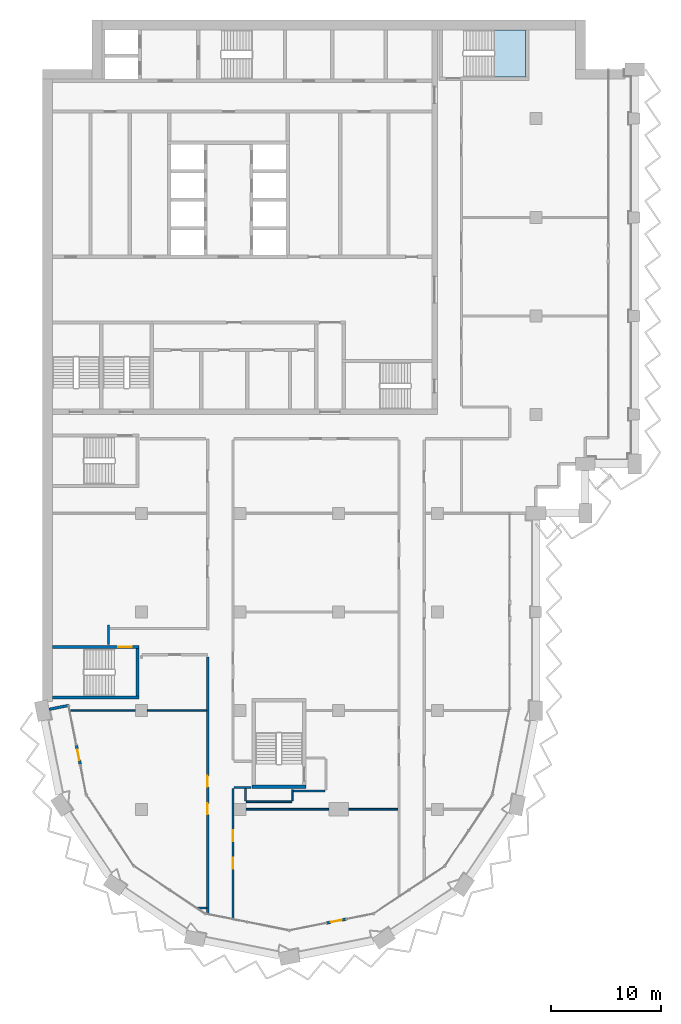
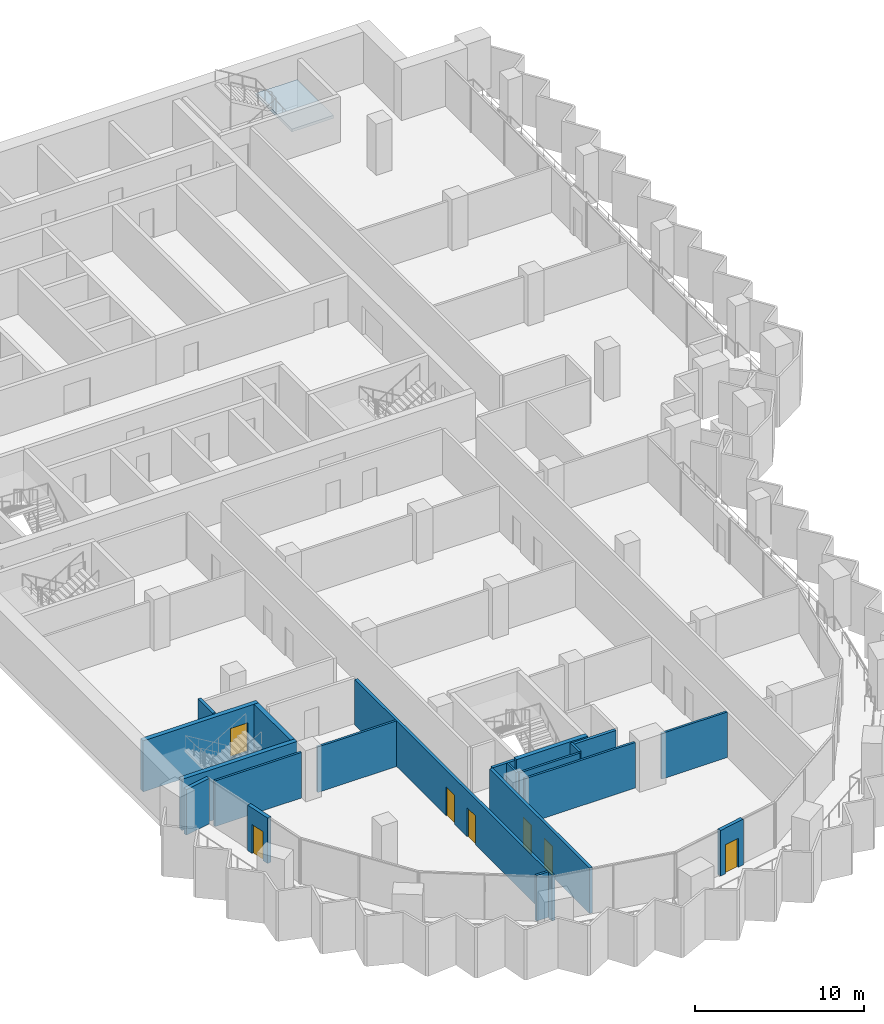
# One storey, part 7 of 17: 20 walls, 7 doors, 1 slab, 7 openings, 1 element without a shape of its own.
"""IFC4 building model written with IfcOpenShell, lengths in metres."""

import ifcopenshell
import ifcopenshell.guid

model = None  # the IFC model being written
_history = None  # IfcOwnerHistory: only IFC2X3 demands one
_inside = {}  # id of a spatial element -> (the spatial element, [elements in it])
_under = {}  # id of a project, library or spatial element -> (it, [spatial elements below it])
_declared = {}  # id of a project -> (the project, [libraries it declares])
_typed = {}  # id of a type object -> (the type object, [elements of that type])
_made_of = {}  # id of a material, layer set ... -> (it, [elements and type objects made of it])


def new_model(schema):
    """Start an empty IFC model of exactly this schema.

    Asked for "IFC4X3", IfcOpenShell would pick the latest addendum, in which some entities
    have other attributes; the version numbers below select the first issue.
    IFC2X3 requires an IfcOwnerHistory on every rooted entity: one is made here for all.
    """
    global model, _history
    if schema == "IFC4X3":
        model = ifcopenshell.file(schema_version=(4, 3, 0, 0))
    else:
        model = ifcopenshell.file(schema=schema)
    _inside.clear()
    _under.clear()
    _declared.clear()
    _typed.clear()
    _made_of.clear()
    _history = None
    if model.schema == "IFC2X3":
        org = make("IfcOrganization", Name="unknown")
        user = make(
            "IfcPersonAndOrganization",
            ThePerson=make("IfcPerson", FamilyName="unknown"),
            TheOrganization=org,
        )
        app = make(
            "IfcApplication",
            ApplicationDeveloper=org,
            Version="unknown",
            ApplicationFullName="unknown",
            ApplicationIdentifier="unknown",
        )
        _history = make(
            "IfcOwnerHistory",
            OwningUser=user,
            OwningApplication=app,
            ChangeAction="ADDED",
            CreationDate=0,
        )
    return model


def make(cls, **values):
    """One entity of the class cls with the attributes given. An attribute that is None is left unset."""
    return model.create_entity(
        cls, **{name: value for name, value in values.items() if value is not None}
    )


def rooted(cls, **values):
    """An entity with a GlobalId (a new one), such as an element, a storey or a relation."""
    return make(cls, GlobalId=ifcopenshell.guid.new(), OwnerHistory=_history, **values)


def si_unit(unit_type, name, prefix=None):
    """IfcSIUnit, for example si_unit("LENGTHUNIT", "METRE", prefix="MILLI")."""
    return make("IfcSIUnit", UnitType=unit_type, Prefix=prefix, Name=name)


def assignment(units):
    """IfcUnitAssignment: the units of a project."""
    return None if units is None else make("IfcUnitAssignment", Units=units)


def point(xyz):
    """IfcCartesianPoint."""
    return None if xyz is None else make("IfcCartesianPoint", Coordinates=xyz)


def direction(xyz):
    """IfcDirection."""
    return None if xyz is None else make("IfcDirection", DirectionRatios=xyz)


def frame(location, z_axis=None, x_axis=None):
    """IfcAxis2Placement3D, a coordinate frame: its origin and axes. An axis left out is left unset."""
    return make(
        "IfcAxis2Placement3D",
        Location=point(location),
        Axis=direction(z_axis),
        RefDirection=direction(x_axis),
    )


def frame_2d(location, x_axis=None):
    """IfcAxis2Placement2D, a coordinate frame in the plane: its origin and x axis."""
    return make(
        "IfcAxis2Placement2D", Location=point(location), RefDirection=direction(x_axis)
    )


def origin():
    """The frame at (0, 0, 0) with its axes left unset."""
    return frame((0.0, 0.0, 0.0))


def place(relative_to, where):
    """IfcLocalPlacement: puts the frame where relative to a parent placement (None: the world)."""
    return make(
        "IfcLocalPlacement", PlacementRelTo=relative_to, RelativePlacement=where
    )


def context(
    kind, dimensions, precision=None, world=None, true_north=None, identifier=None
):
    """IfcGeometricRepresentationContext, for example the 3D "Model" context."""
    return make(
        "IfcGeometricRepresentationContext",
        ContextIdentifier=identifier,
        ContextType=kind,
        CoordinateSpaceDimension=dimensions,
        Precision=precision,
        WorldCoordinateSystem=world,
        TrueNorth=true_north,
    )


def subcontext(parent, identifier, kind, view, scale=None):
    """IfcGeometricRepresentationSubContext, for example "Body" below "Model"."""
    return make(
        "IfcGeometricRepresentationSubContext",
        ContextIdentifier=identifier,
        ContextType=kind,
        ParentContext=parent,
        TargetScale=scale,
        TargetView=view,
    )


def project(units=None, contexts=None):
    """IfcProject with its units and contexts."""
    return rooted(
        "IfcProject",
        Name="project",
        RepresentationContexts=contexts,
        UnitsInContext=assignment(units),
    )


def spatial(cls, under=None, at=None, **own):
    """A site, building, storey or space (cls), placed at a placement, below another one or the project."""
    s = rooted(cls, ObjectPlacement=at, **own)
    if under is not None:
        _under.setdefault(under.id(), (under, []))[1].append(s)
    return s


def polyline(points):
    """IfcPolyline through the points."""
    return make("IfcPolyline", Points=[point(p) for p in points])


def profile(cls, at=None, kind="AREA", **sizes):
    """A parametric profile (cls). Its sizes go by their IFC names, for example OverallWidth=200.0."""
    return make(cls, ProfileType=kind, Position=at, **sizes)


def rectangle(**sizes):
    """IfcRectangleProfileDef."""
    return profile("IfcRectangleProfileDef", **sizes)


def outline(outer, holes=None, kind="AREA"):
    """IfcArbitraryClosedProfileDef: a profile drawn as a closed curve; with holes, ...WithVoids."""
    if holes is None:
        return make("IfcArbitraryClosedProfileDef", ProfileType=kind, OuterCurve=outer)
    return make(
        "IfcArbitraryProfileDefWithVoids",
        ProfileType=kind,
        OuterCurve=outer,
        InnerCurves=holes,
    )


def extrude(swept, where, along, depth):
    """IfcExtrudedAreaSolid: the profile swept, set in the frame where, extruded along a direction by depth."""
    return make(
        "IfcExtrudedAreaSolid",
        SweptArea=swept,
        Position=where,
        ExtrudedDirection=direction(along),
        Depth=depth,
    )


def shape(context_of_items, identifier, shape_type, items):
    """IfcShapeRepresentation: the items that make up one representation, for example the "Body"."""
    return make(
        "IfcShapeRepresentation",
        ContextOfItems=context_of_items,
        RepresentationIdentifier=identifier,
        RepresentationType=shape_type,
        Items=items,
    )


def material(Name=None, Category=None):
    """IfcMaterial."""
    return make("IfcMaterial", Name=Name, Category=Category)


def layer(
    of_material, thickness, ventilated=None, Name=None, Category=None, Priority=None
):
    """IfcMaterialLayer: one layer of a wall or slab, of a material (None: an air gap)."""
    return make(
        "IfcMaterialLayer",
        Material=of_material,
        LayerThickness=thickness,
        IsVentilated=ventilated,
        Name=Name,
        Category=Category,
        Priority=Priority,
    )


def layer_set(layers, Name=None):
    """IfcMaterialLayerSet."""
    return make("IfcMaterialLayerSet", MaterialLayers=layers, LayerSetName=Name)


def made_of(thing, what):
    """Note that an element or type object is made of a material, layer set ...; save() writes the relation."""
    if what is not None:
        _made_of.setdefault(what.id(), (what, []))[1].append(thing)
    return thing


def type_object(cls, material=None, **own):
    """A type object (cls), such as IfcWallType, which elements share."""
    return made_of(rooted(cls, **own), material)


def element(
    cls,
    number,
    at=None,
    inside=None,
    cuts=None,
    type_object=None,
    material=None,
    context=None,
    identifier="Body",
    shape_type=None,
    held_by="IfcProductDefinitionShape",
    body=None,
    shapes=None,
    **own,
):
    """One element of the class cls, such as IfcWall. Its Tag is "e" and its number.

    at: its placement. inside: the storey or other place that contains it. cuts: it is an
    opening in that element (IfcRelVoidsElement). A single representation is given by context,
    identifier, shape_type and body (its items); several are given by shapes. held_by: the class
    of the entity that holds the representations. save() writes the other relations.
    """
    e = rooted(cls, Tag="e%d" % number, ObjectPlacement=at, **own)
    if body is not None:
        shapes = [shape(context, identifier, shape_type, body)]
    if shapes is not None:
        e.Representation = make(held_by, Representations=shapes)
    if inside is not None:
        _inside.setdefault(inside.id(), (inside, []))[1].append(e)
    if cuts is not None:
        rooted(
            "IfcRelVoidsElement", RelatingBuildingElement=cuts, RelatedOpeningElement=e
        )
    if type_object is not None:
        _typed.setdefault(type_object.id(), (type_object, []))[1].append(e)
    return made_of(e, material)


def fill(opening, filler):
    """IfcRelFillsElement: the door or window that sits in an opening."""
    return rooted(
        "IfcRelFillsElement",
        RelatingOpeningElement=opening,
        RelatedBuildingElement=filler,
    )


def aggregate(whole, parts):
    """IfcRelAggregates: a whole, such as a stair, and the parts it consists of."""
    return rooted("IfcRelAggregates", RelatingObject=whole, RelatedObjects=parts)


def save(model, path):
    """Write the relations noted so far, then the file.

    IfcRelAggregates (storeys below a building ...), IfcRelContainedInSpatialStructure (elements
    in a storey), IfcRelDefinesByType, IfcRelAssociatesMaterial and IfcRelDeclares: one each for
    every whole, place, type object, material and project.
    """
    for whole, parts in _under.values():
        aggregate(whole, parts)
    for where, things in _inside.values():
        rooted(
            "IfcRelContainedInSpatialStructure",
            RelatedElements=things,
            RelatingStructure=where,
        )
    for kind, things in _typed.values():
        rooted("IfcRelDefinesByType", RelatedObjects=things, RelatingType=kind)
    for what, things in _made_of.values():
        rooted("IfcRelAssociatesMaterial", RelatedObjects=things, RelatingMaterial=what)
    for by, libraries in _declared.values():
        rooted("IfcRelDeclares", RelatingContext=by, RelatedDefinitions=libraries)
    model.write(path)


model = new_model("IFC4")

# Units and contexts
model_context = context("Model", 3, precision=1e-05, world=origin(), true_north=direction((0.0, 1.0)))
body_context = subcontext(model_context, "Body", "Model", "MODEL_VIEW")
ifc_project = project(units=[si_unit("LENGTHUNIT", "METRE"), si_unit("AREAUNIT", "SQUARE_METRE"), si_unit("VOLUMEUNIT", "CUBIC_METRE"), si_unit("PLANEANGLEUNIT", "RADIAN"), si_unit("MASSUNIT", "GRAM", prefix="KILO")], contexts=[model_context])

# Site, building, storey
site_placement = place(None, origin())
site = spatial("IfcSite", under=ifc_project, at=site_placement, CompositionType="ELEMENT")
building_placement = place(site_placement, origin())
building = spatial("IfcBuilding", under=site, at=building_placement, Name="Hunhe Ridgeline Campus", CompositionType="ELEMENT")
storey_placement = place(building_placement, frame((0.0, 0.0, 190.199951171875)))
storey = spatial("IfcBuildingStorey", under=building, at=storey_placement, Name="L48", CompositionType="ELEMENT", Elevation=190.199951171875)

# Stair, slab
ifc_material_1 = material(Name="Concrete C40", Category="concrete")
stair_type = type_object("IfcStairType", Name="Reinforced concrete dog-leg stair 1950 Concrete C40", PredefinedType="HALF_TURN_STAIR", material=ifc_material_1)
stair_placement = place(storey_placement, origin())
stair = element("IfcStair", 1, at=stair_placement, inside=storey, type_object=stair_type, Name="L48 E1", PredefinedType="HALF_TURN_STAIR")
ifc_layer_1 = layer(ifc_material_1, 0.199951171875)
ifc_layer_set_1 = layer_set([ifc_layer_1], Name="Reinforced concrete stair landing 200 Concrete C40")
slab_type = type_object("IfcSlabType", Name="Reinforced concrete stair landing 200 Concrete C40", PredefinedType="LANDING", material=ifc_layer_set_1)
slab_placement = place(storey_placement, frame((0.0, 0.0, 1.650146484375)))
slab = element("IfcSlab", 2, at=slab_placement, type_object=slab_type, Name="ST5 landing 1", PredefinedType="LANDING", context=body_context, shape_type="SweptSolid", body=[
    extrude(outline(polyline([(41.199951171875, 93.800048828125), (44.050048828125, 93.800048828125), (44.050048828125, 98.10009765625), (41.199951171875, 98.10009765625), (41.199951171875, 93.800048828125)])), origin(), (0.0, 0.0, 1.0), 0.199951171875),
])
aggregate(stair, [slab])

# Walls
ifc_material_2 = material(Name="Concrete C30", Category="concrete")
ifc_layer_2 = layer(ifc_material_2, 0.25)
ifc_layer_set_2 = layer_set([ifc_layer_2], Name="Corner return wall 250 Concrete C30")
wall_type_1 = type_object("IfcWallType", Name="Corner return wall 250 Concrete C30", PredefinedType="SOLIDWALL", material=ifc_layer_set_2)
wall_1_placement = place(storey_placement, frame((0.58837890625, 36.117919921875, 0.0), z_axis=(0.0, 0.0, 1.0), x_axis=(0.980840518545, 0.194812415363, 0.0)))
element("IfcWall", 3, at=wall_1_placement, inside=storey, type_object=wall_type_1, Name="Corner return wall 1", PredefinedType="SOLIDWALL", context=body_context, shape_type="SweptSolid", body=[
    extrude(rectangle(XDim=1.80078125, YDim=0.25, at=frame_2d((0.900390625, 0.0))), origin(), (0.0, 0.0, 1.0), 3.300048828125),
])
ifc_material_3 = material(Name="Gypsum board partition")
ifc_layer_3 = layer(ifc_material_3, 0.199951171875)
ifc_layer_set_3 = layer_set([ifc_layer_3], Name="Corridor partition 200 gypsum board on steel studs")
wall_type_2 = type_object("IfcWallType", Name="Corridor partition 200 gypsum board on steel studs", PredefinedType="PARTITIONING", material=ifc_layer_set_3)
wall_2_placement = place(storey_placement, frame((25.75, 28.675048828125, 0.0), z_axis=(0.0, 0.0, 1.0), x_axis=(-1.0, 0.0, 0.0)))
element("IfcWall", 4, at=wall_2_placement, inside=storey, type_object=wall_type_2, Name="F-L48-wall-007", PredefinedType="PARTITIONING", context=body_context, shape_type="SweptSolid", body=[
    extrude(rectangle(XDim=2.875, YDim=0.199951171875, at=frame_2d((1.4375, 0.0))), origin(), (0.0, 0.0, 1.0), 3.300048828125),
])
wall_3_placement = place(storey_placement, frame((18.99609375, 28.97509765625, 0.0), z_axis=(0.0, 0.0, 1.0), x_axis=(-1.0, 0.0, 0.0)))
element("IfcWall", 5, at=wall_3_placement, inside=storey, type_object=wall_type_2, Name="F-L48-wall-008", PredefinedType="PARTITIONING", context=body_context, shape_type="SweptSolid", body=[
    extrude(rectangle(XDim=1.546142578125, YDim=0.199951171875, at=frame_2d((0.77294921875, 0.0))), origin(), (0.0, 0.0, 1.0), 3.300048828125),
])
wall_4_placement = place(storey_placement, frame((6.0, 42.053955078125, 0.0), z_axis=(0.0, 0.0, 1.0), x_axis=(0.0, 1.0, 0.0)))
element("IfcWall", 6, at=wall_4_placement, inside=storey, type_object=wall_type_2, Name="F-L48-wall-035", PredefinedType="PARTITIONING", context=body_context, shape_type="SweptSolid", body=[
    extrude(rectangle(XDim=1.74609375, YDim=0.199951171875, at=frame_2d((0.873046875, 0.0))), origin(), (0.0, 0.0, 1.0), 3.300048828125),
])

# Wall, openings, doors
wall_5_placement = place(storey_placement, frame((15.050048828125, 17.485107421875, 0.0), z_axis=(0.0, 0.0, 1.0), x_axis=(0.0, 1.0, 0.0)))
wall_5 = element("IfcWall", 7, at=wall_5_placement, inside=storey, type_object=wall_type_2, Name="F-L48-wall-037", PredefinedType="PARTITIONING", context=body_context, shape_type="SweptSolid", body=[
    extrude(rectangle(XDim=23.39990234375, YDim=0.199951171875, at=frame_2d((11.699951171875, 0.0))), origin(), (0.0, 0.0, 1.0), 3.300048828125),
])
opening_1_placement = place(wall_5_placement, frame((9.061279296875, 0.0, 0.0)))
opening_1 = element("IfcOpeningElement", 8, at=opening_1_placement, cuts=wall_5, Name="Opening RD1-004", PredefinedType="OPENING", context=body_context, shape_type="SweptSolid", body=[
    extrude(rectangle(XDim=1.0, YDim=2.10009765625, at=frame_2d((0.5, 1.050048828125))), frame((0.0, 0.10009765625, 0.0), z_axis=(0.0, -1.0, 0.0), x_axis=(1.0, 0.0, 0.0)), (0.0, 0.0, 1.0), 0.199951171875),
])
opening_2_placement = place(wall_5_placement, frame((11.561279296875, 0.0, 0.0)))
opening_2 = element("IfcOpeningElement", 9, at=opening_2_placement, cuts=wall_5, Name="Opening RD1-005", PredefinedType="OPENING", context=body_context, shape_type="SweptSolid", body=[
    extrude(rectangle(XDim=1.0, YDim=2.10009765625, at=frame_2d((0.5, 1.050048828125))), frame((0.0, 0.10009765625, 0.0), z_axis=(0.0, -1.0, 0.0), x_axis=(1.0, 0.0, 0.0)), (0.0, 0.0, 1.0), 0.199951171875),
])
ifc_material_4 = material(Name="Timber door leaf", Category="wood")
door_type_1 = type_object("IfcDoorType", Name="Single fire door 1000x2100 timber FD60", OperationType="NOTDEFINED", PredefinedType="DOOR", material=ifc_material_4)
door_1_placement = place(opening_1_placement, frame((1.0, 0.0, 0.0), z_axis=(0.0, 0.0, 1.0), x_axis=(-1.0, 0.0, 0.0)))
door_1 = element("IfcDoor", 10, at=door_1_placement, inside=storey, type_object=door_type_1, Name="F-L48-door-004", OperationType="SINGLE_SWING_LEFT", OverallHeight=2.10009765625, OverallWidth=1.0, PredefinedType="DOOR", context=body_context, shape_type="SweptSolid", body=[
    extrude(rectangle(XDim=1.0, YDim=2.10009765625, at=frame_2d((0.5, 1.050048828125))), frame((0.0, 0.02490234375, 0.0), z_axis=(0.0, -1.0, 0.0), x_axis=(1.0, 0.0, 0.0)), (0.0, 0.0, 1.0), 0.050048828125),
])
fill(opening_1, door_1)
door_2_placement = place(opening_2_placement, frame((1.0, 0.0, 0.0), z_axis=(0.0, 0.0, 1.0), x_axis=(-1.0, 0.0, 0.0)))
door_2 = element("IfcDoor", 11, at=door_2_placement, inside=storey, type_object=door_type_1, Name="F-L48-door-005", OperationType="SINGLE_SWING_LEFT", OverallHeight=2.10009765625, OverallWidth=1.0, PredefinedType="DOOR", context=body_context, shape_type="SweptSolid", body=[
    extrude(rectangle(XDim=1.0, YDim=2.10009765625, at=frame_2d((0.5, 1.050048828125))), frame((0.0, 0.02490234375, 0.0), z_axis=(0.0, -1.0, 0.0), x_axis=(1.0, 0.0, 0.0)), (0.0, 0.0, 1.0), 0.050048828125),
])
fill(opening_2, door_2)

wall_6_placement = place(storey_placement, frame((17.35009765625, 28.875, 0.0), z_axis=(0.0, 0.0, 1.0), x_axis=(0.0, -1.0, 0.0)))
wall_6 = element("IfcWall", 12, at=wall_6_placement, inside=storey, type_object=wall_type_2, Name="F-L48-wall-039", PredefinedType="PARTITIONING", context=body_context, shape_type="SweptSolid", body=[
    extrude(rectangle(XDim=11.847412109375, YDim=0.199951171875, at=frame_2d((5.923828125, 0.0))), origin(), (0.0, 0.0, 1.0), 3.300048828125),
])
opening_3_placement = place(wall_6_placement, frame((6.305908203125, 0.0, 0.0)))
opening_3 = element("IfcOpeningElement", 13, at=opening_3_placement, cuts=wall_6, Name="Opening RD1-001", PredefinedType="OPENING", context=body_context, shape_type="SweptSolid", body=[
    extrude(rectangle(XDim=1.0, YDim=2.10009765625, at=frame_2d((0.5, 1.050048828125))), frame((0.0, 0.10009765625, 0.0), z_axis=(0.0, -1.0, 0.0), x_axis=(1.0, 0.0, 0.0)), (0.0, 0.0, 1.0), 0.199951171875),
])
opening_4_placement = place(wall_6_placement, frame((3.805908203125, 0.0, 0.0)))
opening_4 = element("IfcOpeningElement", 14, at=opening_4_placement, cuts=wall_6, Name="Opening RD1-003", PredefinedType="OPENING", context=body_context, shape_type="SweptSolid", body=[
    extrude(rectangle(XDim=1.0, YDim=2.10009765625, at=frame_2d((0.5, 1.050048828125))), frame((0.0, 0.10009765625, 0.0), z_axis=(0.0, -1.0, 0.0), x_axis=(1.0, 0.0, 0.0)), (0.0, 0.0, 1.0), 0.199951171875),
])
door_3_placement = place(opening_3_placement, frame((1.0, 0.0, 0.0), z_axis=(0.0, 0.0, 1.0), x_axis=(-1.0, 0.0, 0.0)))
door_3 = element("IfcDoor", 15, at=door_3_placement, inside=storey, type_object=door_type_1, Name="F-L48-door-001", OperationType="SINGLE_SWING_RIGHT", OverallHeight=2.10009765625, OverallWidth=1.0, PredefinedType="DOOR", context=body_context, shape_type="SweptSolid", body=[
    extrude(rectangle(XDim=1.0, YDim=2.10009765625, at=frame_2d((0.5, 1.050048828125))), frame((0.0, 0.02490234375, 0.0), z_axis=(0.0, -1.0, 0.0), x_axis=(1.0, 0.0, 0.0)), (0.0, 0.0, 1.0), 0.050048828125),
])
fill(opening_3, door_3)
door_4_placement = place(opening_4_placement, frame((1.0, 0.0, 0.0), z_axis=(0.0, 0.0, 1.0), x_axis=(-1.0, 0.0, 0.0)))
door_4 = element("IfcDoor", 16, at=door_4_placement, inside=storey, type_object=door_type_1, Name="F-L48-door-003", OperationType="SINGLE_SWING_RIGHT", OverallHeight=2.10009765625, OverallWidth=1.0, PredefinedType="DOOR", context=body_context, shape_type="SweptSolid", body=[
    extrude(rectangle(XDim=1.0, YDim=2.10009765625, at=frame_2d((0.5, 1.050048828125))), frame((0.0, 0.02490234375, 0.0), z_axis=(0.0, -1.0, 0.0), x_axis=(1.0, 0.0, 0.0)), (0.0, 0.0, 1.0), 0.050048828125),
])
fill(opening_4, door_4)

# Wall, opening, door
ifc_layer_4 = layer(ifc_material_2, 0.25)
ifc_layer_set_4 = layer_set([ifc_layer_4], Name="Loggia door pier wall 250 Concrete C30")
wall_type_3 = type_object("IfcWallType", Name="Loggia door pier wall 250 Concrete C30", PredefinedType="SOLIDWALL", material=ifc_layer_set_4)
wall_7_placement = place(storey_placement, frame((3.076904296875, 32.8388671875, 0.0), z_axis=(0.0, 0.0, 1.0), x_axis=(0.195046569833, -0.980793982239, 0.0)))
wall_7 = element("IfcWall", 17, at=wall_7_placement, inside=storey, type_object=wall_type_3, Name="Loggia door pier 1", PredefinedType="SOLIDWALL", context=body_context, shape_type="SweptSolid", body=[
    extrude(rectangle(XDim=1.800048828125, YDim=0.25, at=frame_2d((0.89990234375, 0.0))), origin(), (0.0, 0.0, 1.0), 3.300048828125),
])
opening_5_placement = place(wall_7_placement, frame((0.39990234375, 0.0, 0.0)))
opening_5 = element("IfcOpeningElement", 18, at=opening_5_placement, cuts=wall_7, Name="Opening BD401", PredefinedType="OPENING", context=body_context, shape_type="SweptSolid", body=[
    extrude(rectangle(XDim=1.0, YDim=2.10009765625, at=frame_2d((0.5, 1.050048828125))), frame((0.0, 0.125, 0.0), z_axis=(0.0, -1.0, 0.0), x_axis=(1.0, 0.0, 0.0)), (0.0, 0.0, 1.0), 0.25),
])
ifc_material_5 = material(Name="Aluminium 6063", Category="aluminium")
door_type_2 = type_object("IfcDoorType", Name="Loggia glazed door 1000x2100", OperationType="NOTDEFINED", PredefinedType="DOOR", material=ifc_material_5)
door_5_placement = place(opening_5_placement, frame((1.0, 0.0, 0.0), z_axis=(0.0, 0.0, 1.0), x_axis=(-1.0, 0.0, 0.0)))
door_5 = element("IfcDoor", 19, at=door_5_placement, inside=storey, type_object=door_type_2, Name="Loggia door BD401", OperationType="SINGLE_SWING_RIGHT", OverallHeight=2.10009765625, OverallWidth=1.0, PredefinedType="DOOR", context=body_context, shape_type="SweptSolid", body=[
    extrude(rectangle(XDim=1.0, YDim=2.10009765625, at=frame_2d((0.5, 1.050048828125))), frame((0.0, 0.02490234375, 0.0), z_axis=(0.0, -1.0, 0.0), x_axis=(1.0, 0.0, 0.0)), (0.0, 0.0, 1.0), 0.050048828125),
])
fill(opening_5, door_5)

wall_8_placement = place(storey_placement, frame((25.8955078125, 16.62353515625, 0.0), z_axis=(0.0, 0.0, 1.0), x_axis=(0.980793982239, 0.195046569833, 0.0)))
wall_8 = element("IfcWall", 20, at=wall_8_placement, inside=storey, type_object=wall_type_3, Name="Loggia door pier 2", PredefinedType="SOLIDWALL", context=body_context, shape_type="SweptSolid", body=[
    extrude(rectangle(XDim=1.800048828125, YDim=0.25, at=frame_2d((0.89990234375, 0.0))), origin(), (0.0, 0.0, 1.0), 3.300048828125),
])
opening_6_placement = place(wall_8_placement, frame((0.39990234375, 0.0, 0.0)))
opening_6 = element("IfcOpeningElement", 21, at=opening_6_placement, cuts=wall_8, Name="Opening BD403", PredefinedType="OPENING", context=body_context, shape_type="SweptSolid", body=[
    extrude(rectangle(XDim=1.0, YDim=2.10009765625, at=frame_2d((0.5, 1.050048828125))), frame((0.0, 0.125, 0.0), z_axis=(0.0, -1.0, 0.0), x_axis=(1.0, 0.0, 0.0)), (0.0, 0.0, 1.0), 0.25),
])
door_6_placement = place(opening_6_placement, frame((1.0, 0.0, 0.0), z_axis=(0.0, 0.0, 1.0), x_axis=(-1.0, 0.0, 0.0)))
door_6 = element("IfcDoor", 22, at=door_6_placement, inside=storey, type_object=door_type_2, Name="Loggia door BD403", OperationType="SINGLE_SWING_RIGHT", OverallHeight=2.10009765625, OverallWidth=1.0, PredefinedType="DOOR", context=body_context, shape_type="SweptSolid", body=[
    extrude(rectangle(XDim=1.0, YDim=2.10009765625, at=frame_2d((0.5, 1.050048828125))), frame((0.0, 0.02490234375, 0.0), z_axis=(0.0, -1.0, 0.0), x_axis=(1.0, 0.0, 0.0)), (0.0, 0.0, 1.0), 0.050048828125),
])
fill(opening_6, door_6)

# Walls
ifc_layer_5 = layer(ifc_material_3, 0.14990234375)
ifc_layer_set_5 = layer_set([ifc_layer_5], Name="Room partition 150 gypsum board on steel studs")
wall_type_4 = type_object("IfcWallType", Name="Room partition 150 gypsum board on steel studs", PredefinedType="PARTITIONING", material=ifc_layer_set_5)
wall_9_placement = place(storey_placement, frame((14.136962890625, 18.0, 0.0), z_axis=(0.0, 0.0, 1.0), x_axis=(1.0, 0.0, 0.0)))
element("IfcWall", 23, at=wall_9_placement, inside=storey, type_object=wall_type_4, Name="F-L48-wall-001", PredefinedType="PARTITIONING", context=body_context, shape_type="SweptSolid", body=[
    extrude(rectangle(XDim=0.81298828125, YDim=0.14990234375, at=frame_2d((0.406494140625, 0.0))), origin(), (0.0, 0.0, 1.0), 3.300048828125),
])
wall_10_placement = place(storey_placement, frame((18.550048828125, 27.0, 0.0), z_axis=(0.0, 0.0, 1.0), x_axis=(1.0, 0.0, 0.0)))
element("IfcWall", 24, at=wall_10_placement, inside=storey, type_object=wall_type_4, Name="F-L48-wall-002", PredefinedType="PARTITIONING", context=body_context, shape_type="SweptSolid", body=[
    extrude(rectangle(XDim=7.550048828125, YDim=0.14990234375, at=frame_2d((3.77490234375, 0.0))), origin(), (0.0, 0.0, 1.0), 3.300048828125),
])
wall_11_placement = place(storey_placement, frame((27.89990234375, 27.0, 0.0), z_axis=(0.0, 0.0, 1.0), x_axis=(1.0, 0.0, 0.0)))
element("IfcWall", 25, at=wall_11_placement, inside=storey, type_object=wall_type_4, Name="F-L48-wall-003", PredefinedType="PARTITIONING", context=body_context, shape_type="SweptSolid", body=[
    extrude(rectangle(XDim=4.5, YDim=0.14990234375, at=frame_2d((2.25, 0.0))), origin(), (0.0, 0.0, 1.0), 3.300048828125),
])
wall_12_placement = place(storey_placement, frame((18.574951171875, 27.68994140625, 0.0), z_axis=(0.0, 0.0, 1.0), x_axis=(1.0, 0.0, 0.0)))
element("IfcWall", 26, at=wall_12_placement, inside=storey, type_object=wall_type_4, Name="F-L48-wall-006", PredefinedType="PARTITIONING", context=body_context, shape_type="SweptSolid", body=[
    extrude(rectangle(XDim=4.150146484375, YDim=0.14990234375, at=frame_2d((2.0751953125, 0.0))), origin(), (0.0, 0.0, 1.0), 3.300048828125),
])
wall_13_placement = place(storey_placement, frame((2.503173828125, 36.0, 0.0), z_axis=(0.0, 0.0, 1.0), x_axis=(1.0, 0.0, 0.0)))
element("IfcWall", 27, at=wall_13_placement, inside=storey, type_object=wall_type_4, Name="F-L48-wall-011", PredefinedType="PARTITIONING", context=body_context, shape_type="SweptSolid", body=[
    extrude(rectangle(XDim=5.94677734375, YDim=0.14990234375, at=frame_2d((2.973388671875, 0.0))), origin(), (0.0, 0.0, 1.0), 3.300048828125),
])
wall_14_placement = place(storey_placement, frame((9.550048828125, 36.0, 0.0), z_axis=(0.0, 0.0, 1.0), x_axis=(1.0, 0.0, 0.0)))
element("IfcWall", 28, at=wall_14_placement, inside=storey, type_object=wall_type_4, Name="F-L48-wall-012", PredefinedType="PARTITIONING", context=body_context, shape_type="SweptSolid", body=[
    extrude(rectangle(XDim=5.39990234375, YDim=0.14990234375, at=frame_2d((2.699951171875, 0.0))), origin(), (0.0, 0.0, 1.0), 3.300048828125),
])
wall_15_placement = place(storey_placement, frame((18.5, 28.875, 0.0), z_axis=(0.0, 0.0, 1.0), x_axis=(0.0, -1.0, 0.0)))
element("IfcWall", 29, at=wall_15_placement, inside=storey, type_object=wall_type_4, Name="F-L48-wall-041", PredefinedType="PARTITIONING", context=body_context, shape_type="SweptSolid", body=[
    extrude(rectangle(XDim=1.110107421875, YDim=0.14990234375, at=frame_2d((0.55517578125, 0.0))), origin(), (0.0, 0.0, 1.0), 3.300048828125),
])
wall_16_placement = place(storey_placement, frame((22.800048828125, 28.7958984375, 0.0), z_axis=(0.0, 0.0, 1.0), x_axis=(0.0, -1.0, 0.0)))
element("IfcWall", 30, at=wall_16_placement, inside=storey, type_object=wall_type_4, Name="F-L48-wall-042", PredefinedType="PARTITIONING", context=body_context, shape_type="SweptSolid", body=[
    extrude(rectangle(XDim=1.031005859375, YDim=0.14990234375, at=frame_2d((0.515625, 0.0))), origin(), (0.0, 0.0, 1.0), 3.300048828125),
])
ifc_material_6 = material(Name="Concrete C60", Category="concrete")
ifc_layer_6 = layer(ifc_material_6, 0.300048828125)
ifc_layer_set_6 = layer_set([ifc_layer_6], Name="Stair wall 300 reinforced concrete C60")
wall_type_5 = type_object("IfcWallType", Name="Stair wall 300 reinforced concrete C60", PredefinedType="SOLIDWALL", material=ifc_layer_set_6)
wall_17_placement = place(storey_placement, frame((19.10009765625, 29.050048828125, -0.39990234375), z_axis=(0.0, 0.0, 1.0), x_axis=(1.0, 0.0, 0.0)))
element("IfcWall", 31, at=wall_17_placement, inside=storey, type_object=wall_type_5, Name="L48 core wall 1", PredefinedType="SOLIDWALL", context=body_context, shape_type="SweptSolid", body=[
    extrude(rectangle(XDim=4.89990234375, YDim=0.300048828125, at=frame_2d((2.449951171875, 0.0))), origin(), (0.0, 0.0, 1.0), 3.699951171875),
])
wall_18_placement = place(storey_placement, frame((0.89990234375, 37.199951171875, -0.39990234375), z_axis=(0.0, 0.0, 1.0), x_axis=(1.0, 0.0, 0.0)))
element("IfcWall", 32, at=wall_18_placement, inside=storey, type_object=wall_type_5, Name="L48 core wall 3", PredefinedType="SOLIDWALL", context=body_context, shape_type="SweptSolid", body=[
    extrude(rectangle(XDim=7.900146484375, YDim=0.300048828125, at=frame_2d((3.9501953125, 0.0))), origin(), (0.0, 0.0, 1.0), 3.699951171875),
])

# Wall, opening, door
wall_19_placement = place(storey_placement, frame((0.89990234375, 41.800048828125, -0.39990234375), z_axis=(0.0, 0.0, 1.0), x_axis=(1.0, 0.0, 0.0)))
wall_19 = element("IfcWall", 33, at=wall_19_placement, inside=storey, type_object=wall_type_5, Name="L48 core wall 4", PredefinedType="SOLIDWALL", context=body_context, shape_type="SweptSolid", body=[
    extrude(rectangle(XDim=7.900146484375, YDim=0.300048828125, at=frame_2d((3.9501953125, 0.0))), origin(), (0.0, 0.0, 1.0), 3.699951171875),
])
opening_7_placement = place(wall_19_placement, frame((6.0, 0.0, 0.39990234375)))
opening_7 = element("IfcOpeningElement", 34, at=opening_7_placement, cuts=wall_19, Name="Opening CD21", PredefinedType="OPENING", context=body_context, shape_type="SweptSolid", body=[
    extrude(rectangle(XDim=1.199951171875, YDim=2.10009765625, at=frame_2d((0.60009765625, 1.050048828125))), frame((0.0, 0.14990234375, 0.0), z_axis=(0.0, -1.0, 0.0), x_axis=(1.0, 0.0, 0.0)), (0.0, 0.0, 1.0), 0.300048828125),
])
ifc_material_7 = material(Name="Hollow metal fire door leaf")
door_type_3 = type_object("IfcDoorType", Name="Stair door 1200x2100 FD60", OperationType="SINGLE_SWING_LEFT", PredefinedType="DOOR", material=ifc_material_7)
door_7_placement = place(opening_7_placement, origin())
door_7 = element("IfcDoor", 35, at=door_7_placement, inside=storey, type_object=door_type_3, Name="L48 door W1", OperationType="SINGLE_SWING_LEFT", OverallHeight=2.10009765625, OverallWidth=1.199951171875, PredefinedType="DOOR", context=body_context, shape_type="SweptSolid", body=[
    extrude(rectangle(XDim=1.199951171875, YDim=2.10009765625, at=frame_2d((0.60009765625, 1.050048828125))), frame((0.0, 0.02490234375, 0.0), z_axis=(0.0, -1.0, 0.0), x_axis=(1.0, 0.0, 0.0)), (0.0, 0.0, 1.0), 0.050048828125),
])
fill(opening_7, door_7)

# Wall
wall_20_placement = place(storey_placement, frame((8.64990234375, 37.35009765625, -0.39990234375), z_axis=(0.0, 0.0, 1.0), x_axis=(0.0, 1.0, 0.0)))
element("IfcWall", 36, at=wall_20_placement, inside=storey, type_object=wall_type_5, Name="L48 core wall 29", PredefinedType="SOLIDWALL", context=body_context, shape_type="SweptSolid", body=[
    extrude(rectangle(XDim=4.2998046875, YDim=0.300048828125, at=frame_2d((2.14990234375, 0.0))), origin(), (0.0, 0.0, 1.0), 3.699951171875),
])

save(model, "model.ifc")
